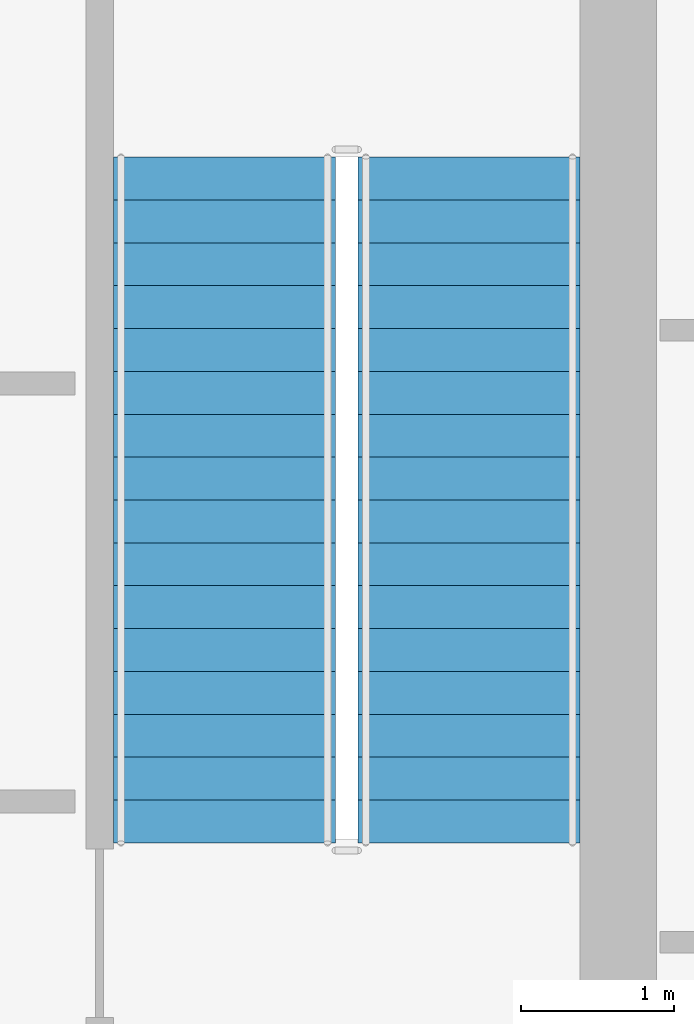
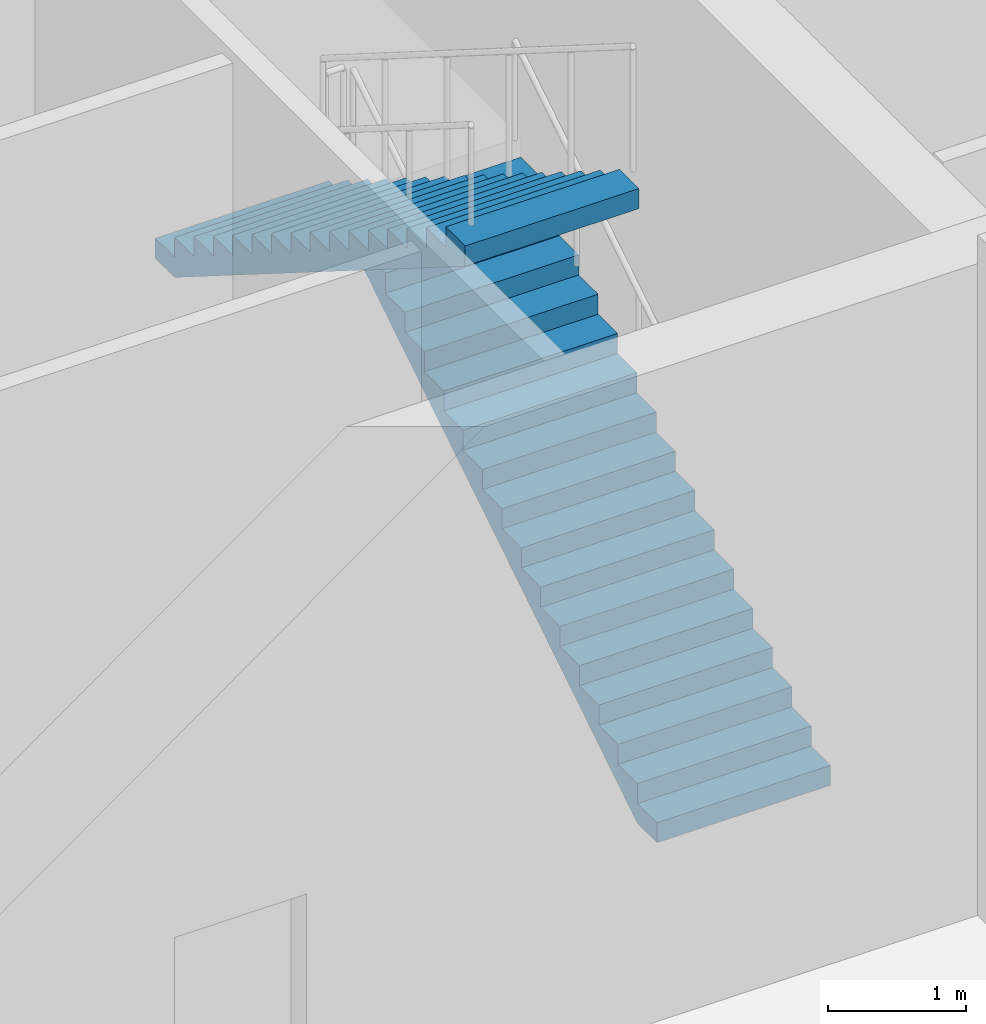
# One storey, part 27 of 30: 2 stair flights, 1 element without a shape of its own.
"""IFC4 building model written with IfcOpenShell, lengths in metres."""

from ifc_helpers import new_model, si_unit, direction, frame, origin, place, context, subcontext, project, spatial, polyline, outline, extrude, material, type_object, element, aggregate, save


model = new_model("IFC4")

# Units and contexts
model_context = context("Model", 3, precision=1e-05, world=origin(), true_north=direction((0.0, 1.0)))
body_context = subcontext(model_context, "Body", "Model", "MODEL_VIEW")
ifc_project = project(units=[si_unit("LENGTHUNIT", "METRE"), si_unit("AREAUNIT", "SQUARE_METRE"), si_unit("VOLUMEUNIT", "CUBIC_METRE"), si_unit("PLANEANGLEUNIT", "RADIAN"), si_unit("MASSUNIT", "GRAM", prefix="KILO")], contexts=[model_context])

# Site, building, storey
site_placement = place(None, origin())
site = spatial("IfcSite", under=ifc_project, at=site_placement, CompositionType="ELEMENT")
building_placement = place(site_placement, origin())
building = spatial("IfcBuilding", under=site, at=building_placement, Name="Saevonmaru Cultural Tower", CompositionType="ELEMENT")
storey_placement = place(building_placement, frame((0.0, 0.0, 123.60009765625)))
storey = spatial("IfcBuildingStorey", under=building, at=storey_placement, Name="L26", CompositionType="ELEMENT", Elevation=123.60009765625)

# Stair, stair flights
ifc_material_1 = material(Name="Concrete C40/50", Category="concrete")
stair_type = type_object("IfcStairType", Name="STR-DOGLEG-RC", PredefinedType="HALF_TURN_STAIR", material=ifc_material_1)
stair_placement = place(storey_placement, origin())
stair = element("IfcStair", 1, at=stair_placement, inside=storey, type_object=stair_type, Name="L26 Protected exit stair ST-2", PredefinedType="HALF_TURN_STAIR")
ifc_material_2 = material(Name="Precast concrete C40/50", Category="concrete")
stair_flight_type = type_object("IfcStairFlightType", Name="STF-PRECAST-180", PredefinedType="STRAIGHT", material=ifc_material_2)
stair_flight_1_placement = place(storey_placement, frame((45.074951171875, 44.85009765625, 0.0), z_axis=(0.0, 0.0, 1.0), x_axis=(0.0, 1.0, 0.0)))
stair_flight_1 = element("IfcStairFlight", 2, at=stair_flight_1_placement, type_object=stair_flight_type, Name="ST-2-L26 flight 1", NumberOfRisers=17, NumberOfTreads=16, PredefinedType="STRAIGHT", RiserHeight=0.176470588, TreadLength=0.28, context=body_context, shape_type="SweptSolid", body=[
    extrude(outline(polyline([(0.0, 0.0), (0.0, 0.176513671875), (0.280029296875, 0.176513671875), (0.280029296875, 0.35302734375), (0.56005859375, 0.35302734375), (0.56005859375, 0.529296875), (0.840087890625, 0.529296875), (0.840087890625, 0.705810546875), (1.1201171875, 0.705810546875), (1.1201171875, 0.88232421875), (1.39990234375, 0.88232421875), (1.39990234375, 1.058837890625), (1.679931640625, 1.058837890625), (1.679931640625, 1.2353515625), (1.9599609375, 1.2353515625), (1.9599609375, 1.411865234375), (2.239990234375, 1.411865234375), (2.239990234375, 1.588134765625), (2.52001953125, 1.588134765625), (2.52001953125, 1.7646484375), (2.800048828125, 1.7646484375), (2.800048828125, 1.941162109375), (3.080078125, 1.941162109375), (3.080078125, 2.11767578125), (3.360107421875, 2.11767578125), (3.360107421875, 2.294189453125), (3.639892578125, 2.294189453125), (3.639892578125, 2.470703125), (3.919921875, 2.470703125), (3.919921875, 2.64697265625), (4.199951171875, 2.64697265625), (4.199951171875, 2.823486328125), (4.47998046875, 2.823486328125), (4.47998046875, 3.0), (4.47998046875, 2.646240234375), (0.28125, 0.0), (0.0, 0.0)])), frame((0.0, 0.72509765625, 0.0), z_axis=(0.0, -1.0, 0.0), x_axis=(1.0, 0.0, 0.0)), (0.0, 0.0, 1.0), 1.449951171875),
])
stair_flight_2_placement = place(storey_placement, frame((43.47509765625, 49.330078125, 3.0), z_axis=(0.0, 0.0, 1.0), x_axis=(0.0, -1.0, 0.0)))
stair_flight_2 = element("IfcStairFlight", 3, at=stair_flight_2_placement, type_object=stair_flight_type, Name="ST-2-L26 flight 2", NumberOfRisers=17, NumberOfTreads=16, PredefinedType="STRAIGHT", RiserHeight=0.176470588, TreadLength=0.28, context=body_context, shape_type="SweptSolid", body=[
    extrude(outline(polyline([(0.0, 0.0), (0.0, 0.176513671875), (0.280029296875, 0.176513671875), (0.280029296875, 0.35302734375), (0.56005859375, 0.35302734375), (0.56005859375, 0.529296875), (0.840087890625, 0.529296875), (0.840087890625, 0.705810546875), (1.1201171875, 0.705810546875), (1.1201171875, 0.88232421875), (1.39990234375, 0.88232421875), (1.39990234375, 1.058837890625), (1.679931640625, 1.058837890625), (1.679931640625, 1.2353515625), (1.9599609375, 1.2353515625), (1.9599609375, 1.411865234375), (2.239990234375, 1.411865234375), (2.239990234375, 1.588134765625), (2.52001953125, 1.588134765625), (2.52001953125, 1.7646484375), (2.800048828125, 1.7646484375), (2.800048828125, 1.941162109375), (3.080078125, 1.941162109375), (3.080078125, 2.11767578125), (3.360107421875, 2.11767578125), (3.360107421875, 2.294189453125), (3.639892578125, 2.294189453125), (3.639892578125, 2.470703125), (3.919921875, 2.470703125), (3.919921875, 2.64697265625), (4.199951171875, 2.64697265625), (4.199951171875, 2.823486328125), (4.47998046875, 2.823486328125), (4.47998046875, 3.0), (4.47998046875, 2.646240234375), (0.28125, 0.0), (0.0, 0.0)])), frame((0.0, 0.72509765625, 0.0), z_axis=(0.0, -1.0, 0.0), x_axis=(1.0, 0.0, 0.0)), (0.0, 0.0, 1.0), 1.449951171875),
])
aggregate(stair, [stair_flight_1, stair_flight_2])

save(model, "model.ifc")
